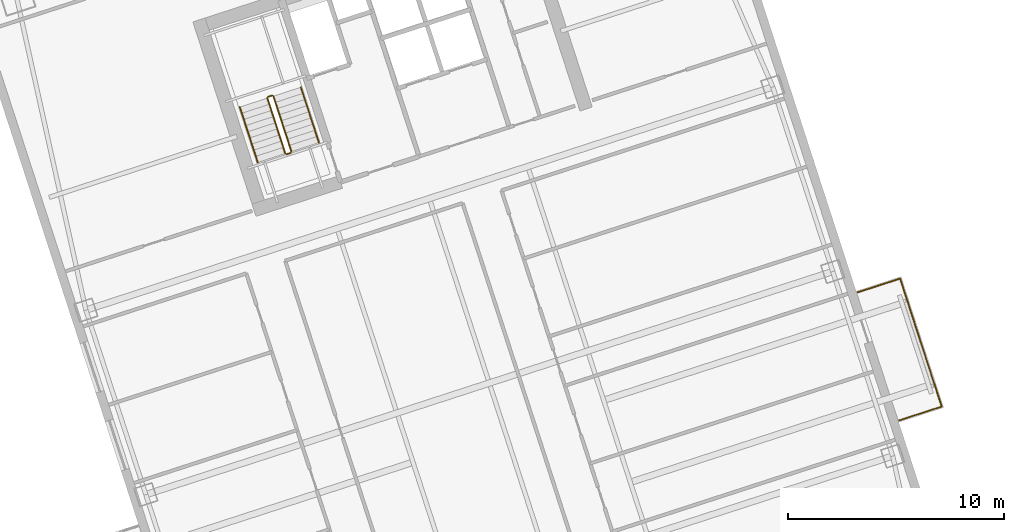
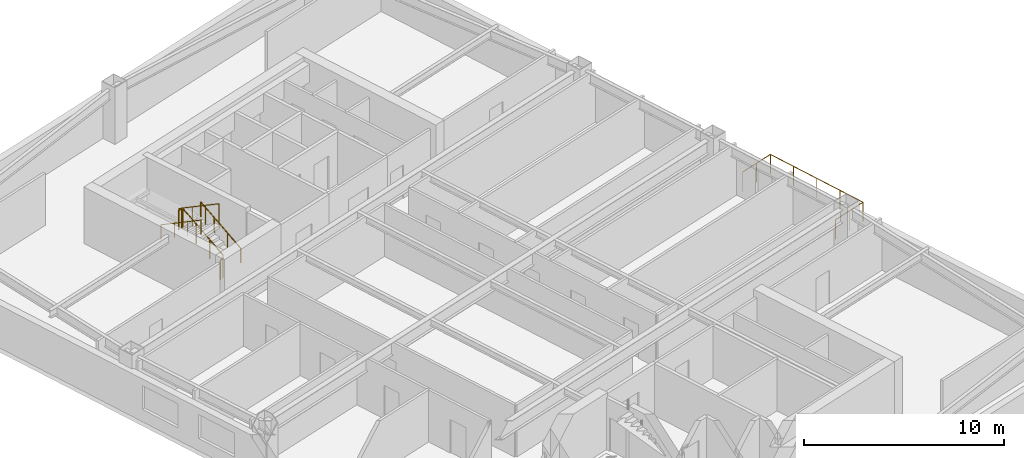
# One storey, part 14 of 14: 7 railings.
"""IFC4 building model written with IfcOpenShell, lengths in metres."""

from ifc_helpers import new_model, si_unit, direction, frame, origin, origin_2d, place, context, subcontext, project, spatial, circle, extrude, material, type_object, element, save


model = new_model("IFC4")

# Units and contexts
model_context = context("Model", 3, precision=1e-05, world=origin(), true_north=direction((0.0, 1.0)))
body_context = subcontext(model_context, "Body", "Model", "MODEL_VIEW")
ifc_project = project(units=[si_unit("LENGTHUNIT", "METRE"), si_unit("AREAUNIT", "SQUARE_METRE"), si_unit("VOLUMEUNIT", "CUBIC_METRE"), si_unit("PLANEANGLEUNIT", "RADIAN"), si_unit("MASSUNIT", "GRAM", prefix="KILO")], contexts=[model_context])

# Site, building, storey
site_placement = place(None, origin())
site = spatial("IfcSite", under=ifc_project, at=site_placement, CompositionType="ELEMENT")
building_placement = place(site_placement, origin())
building = spatial("IfcBuilding", under=site, at=building_placement, Name="Qiaolan Cultural Towers", CompositionType="ELEMENT")
storey_placement = place(building_placement, frame((0.0, 0.0, 103.5)))
storey = spatial("IfcBuildingStorey", under=building, at=storey_placement, Name="L26", CompositionType="ELEMENT", Elevation=103.5)

# Railings
ifc_material_1 = material(Name="Laminated SentryGlas & Stainless Steel S31608 Balustrade", Category="steel")
railing_type_1 = type_object("IfcRailingType", Name="GRD-TERR-1200", PredefinedType="BALUSTRADE", material=ifc_material_1)
railing_1_placement = place(storey_placement, frame((109.014892578125, 32.271240234375, 0.0)))
element("IfcRailing", 1, at=railing_1_placement, inside=storey, type_object=railing_type_1, Name="L26 T2 Tree Balcony Guardrail E", PredefinedType="BALUSTRADE", context=body_context, shape_type="SweptSolid", body=[
    extrude(circle(Radius=0.02392578125, at=origin_2d()), frame((0.0, 0.0, 1.17578125), z_axis=(0.951061799618, 0.309000733507, 0.0), x_axis=(-0.309000733507, 0.951061799618, 0.0)), (0.0, 0.0, 1.0), 2.070068359375),
    extrude(circle(Radius=0.02392578125, at=origin_2d()), frame((1.96875, 0.6396484375, 1.17578125), z_axis=(-0.309047146287, 0.951046718817, 0.0), x_axis=(-0.951046718817, -0.309047146287, 0.0)), (0.0, 0.0, 1.0), 6.239990234375),
    extrude(circle(Radius=0.02392578125, at=origin_2d()), frame((0.040283203125, 6.57421875, 1.17578125), z_axis=(-0.951050536716, -0.309035397023, 0.0), x_axis=(0.309035397023, -0.951050536716, 0.0)), (0.0, 0.0, 1.0), 2.06982421875),
    extrude(circle(Radius=0.02099609375, at=origin_2d()), origin(), (0.0, 0.0, 1.0), 1.15185546875),
    extrude(circle(Radius=0.02099609375, at=origin_2d()), frame((0.984375, 0.31982421875, 0.0)), (0.0, 0.0, 1.0), 1.15185546875),
    extrude(circle(Radius=0.02099609375, at=origin_2d()), frame((1.96875, 0.6396484375, 0.0)), (0.0, 0.0, 1.0), 1.15185546875),
    extrude(circle(Radius=0.02099609375, at=origin_2d()), frame((1.486572265625, 2.123291015625, 0.0)), (0.0, 0.0, 1.0), 1.15185546875),
    extrude(circle(Radius=0.02099609375, at=origin_2d()), frame((1.00439453125, 3.60693359375, 0.0)), (0.0, 0.0, 1.0), 1.15185546875),
    extrude(circle(Radius=0.02099609375, at=origin_2d()), frame((0.5224609375, 5.090576171875, 0.0)), (0.0, 0.0, 1.0), 1.15185546875),
    extrude(circle(Radius=0.02099609375, at=origin_2d()), frame((0.040283203125, 6.57421875, 0.0)), (0.0, 0.0, 1.0), 1.15185546875),
    extrude(circle(Radius=0.02099609375, at=origin_2d()), frame((-0.94384765625, 6.25439453125, 0.0)), (0.0, 0.0, 1.0), 1.15185546875),
    extrude(circle(Radius=0.02099609375, at=origin_2d()), frame((-1.92822265625, 5.9345703125, 0.0)), (0.0, 0.0, 1.0), 1.15185546875),
])
ifc_material_2 = material(Name="Galvanized Painted Steel Stair Guardrail", Category="steel")
railing_type_2 = type_object("IfcRailingType", Name="RL-STAIR-GRD", PredefinedType="GUARDRAIL", material=ifc_material_2)
railing_2_placement = place(storey_placement, frame((80.822021484375, 44.739501953125, 0.172607421875)))
element("IfcRailing", 2, at=railing_2_placement, inside=storey, type_object=railing_type_2, Name="L26 ST-E2 stair guard 1", PredefinedType="GUARDRAIL", context=body_context, shape_type="SweptSolid", body=[
    extrude(circle(Radius=0.02392578125, at=origin_2d()), frame((0.0, 0.0, 1.17578125), z_axis=(-0.26785290645, 0.824488402118, 0.498471358535), x_axis=(-0.951069945308, -0.308975661068, 0.0)), (0.0, 0.0, 1.0), 3.114501953125),
    extrude(circle(Radius=0.02099609375, at=origin_2d()), origin(), (0.0, 0.0, 1.0), 1.15185546875),
    extrude(circle(Radius=0.02099609375, at=origin_2d()), frame((-0.278076171875, 0.85595703125, 0.517578125)), (0.0, 0.0, 1.0), 1.15185546875),
    extrude(circle(Radius=0.02099609375, at=origin_2d()), frame((-0.55615234375, 1.7119140625, 1.034912109375)), (0.0, 0.0, 1.0), 1.15185546875),
    extrude(circle(Radius=0.02099609375, at=origin_2d()), frame((-0.834228515625, 2.56787109375, 1.552490234375)), (0.0, 0.0, 1.0), 1.15185546875),
])
railing_3_placement = place(storey_placement, frame((79.9248046875, 47.33935546875, 1.72509765625)))
element("IfcRailing", 3, at=railing_3_placement, inside=storey, type_object=railing_type_2, Name="L26 ST-E2 stair guard 2", PredefinedType="GUARDRAIL", context=body_context, shape_type="SweptSolid", body=[
    extrude(circle(Radius=0.02392578125, at=origin_2d()), frame((0.0, 0.0, 1.17578125), z_axis=(-0.951096855055, -0.308892816854, 0.0), x_axis=(0.308892816854, -0.951096855055, 0.0)), (0.0, 0.0, 1.0), 0.199951171875),
    extrude(circle(Radius=0.02099609375, at=origin_2d()), origin(), (0.0, 0.0, 1.0), 1.15185546875),
    extrude(circle(Radius=0.02099609375, at=origin_2d()), frame((-0.190185546875, -0.061767578125, 0.0)), (0.0, 0.0, 1.0), 1.15185546875),
])
railing_4_placement = place(storey_placement, frame((79.702392578125, 47.214599609375, 1.8974609375)))
element("IfcRailing", 4, at=railing_4_placement, inside=storey, type_object=railing_type_2, Name="L26 ST-E2 stair guard 3", PredefinedType="GUARDRAIL", context=body_context, shape_type="SweptSolid", body=[
    extrude(circle(Radius=0.02392578125, at=origin_2d()), frame((0.0, 0.0, 1.17578125), z_axis=(0.267925668498, -0.824471088726, 0.498460891159), x_axis=(0.951043371037, 0.309057448393, 0.0)), (0.0, 0.0, 1.0), 3.114501953125),
    extrude(circle(Radius=0.02099609375, at=origin_2d()), origin(), (0.0, 0.0, 1.0), 1.15185546875),
    extrude(circle(Radius=0.02099609375, at=origin_2d()), frame((0.278076171875, -0.85595703125, 0.517578125)), (0.0, 0.0, 1.0), 1.15185546875),
    extrude(circle(Radius=0.02099609375, at=origin_2d()), frame((0.556396484375, -1.7119140625, 1.034912109375)), (0.0, 0.0, 1.0), 1.15185546875),
    extrude(circle(Radius=0.02099609375, at=origin_2d()), frame((0.83447265625, -2.56787109375, 1.552490234375)), (0.0, 0.0, 1.0), 1.15185546875),
])
railing_5_placement = place(storey_placement, frame((80.7900390625, 44.676513671875, 0.0)))
element("IfcRailing", 5, at=railing_5_placement, inside=storey, type_object=railing_type_2, Name="L26 ST-E2 stair guard 4", PredefinedType="GUARDRAIL", context=body_context, shape_type="SweptSolid", body=[
    extrude(circle(Radius=0.02392578125, at=origin_2d()), frame((0.0, 0.0, 1.17578125), z_axis=(-0.951096855055, -0.308892816854, 0.0), x_axis=(0.308892816854, -0.951096855055, 0.0)), (0.0, 0.0, 1.0), 0.199951171875),
    extrude(circle(Radius=0.02099609375, at=origin_2d()), origin(), (0.0, 0.0, 1.0), 1.15185546875),
    extrude(circle(Radius=0.02099609375, at=origin_2d()), frame((-0.190185546875, -0.061767578125, 0.0)), (0.0, 0.0, 1.0), 1.15185546875),
])
ifc_material_3 = material(Name="Stainless Steel S30408 Tubular Handrail", Category="steel")
railing_type_3 = type_object("IfcRailingType", Name="RL-STAIR-HR", PredefinedType="HANDRAIL", material=ifc_material_3)
railing_6_placement = place(storey_placement, frame((82.096435546875, 45.153564453125, 0.172607421875)))
element("IfcRailing", 6, at=railing_6_placement, inside=storey, type_object=railing_type_3, Name="L26 ST-E2 stair handrail 1", PredefinedType="HANDRAIL", context=body_context, shape_type="SweptSolid", body=[
    extrude(circle(Radius=0.02392578125, at=origin_2d()), frame((0.0, 0.0, 0.8759765625), z_axis=(-0.26785290645, 0.824488402118, 0.498471358535), x_axis=(-0.951069945308, -0.308975661068, 0.0)), (0.0, 0.0, 1.0), 3.114501953125),
    extrude(circle(Radius=0.02099609375, at=origin_2d()), origin(), (0.0, 0.0, 1.0), 0.851806640625),
    extrude(circle(Radius=0.02099609375, at=origin_2d()), frame((-0.278076171875, 0.85595703125, 0.517578125)), (0.0, 0.0, 1.0), 0.851806640625),
    extrude(circle(Radius=0.02099609375, at=origin_2d()), frame((-0.55615234375, 1.7119140625, 1.034912109375)), (0.0, 0.0, 1.0), 0.851806640625),
    extrude(circle(Radius=0.02099609375, at=origin_2d()), frame((-0.834228515625, 2.56787109375, 1.552490234375)), (0.0, 0.0, 1.0), 0.851806640625),
])
railing_7_placement = place(storey_placement, frame((78.427978515625, 46.800537109375, 1.8974609375)))
element("IfcRailing", 7, at=railing_7_placement, inside=storey, type_object=railing_type_3, Name="L26 ST-E2 stair handrail 2", PredefinedType="HANDRAIL", context=body_context, shape_type="SweptSolid", body=[
    extrude(circle(Radius=0.02392578125, at=origin_2d()), frame((0.0, 0.0, 0.8759765625), z_axis=(0.267925668498, -0.824471088726, 0.498460891159), x_axis=(0.951043371037, 0.309057448393, 0.0)), (0.0, 0.0, 1.0), 3.114501953125),
    extrude(circle(Radius=0.02099609375, at=origin_2d()), origin(), (0.0, 0.0, 1.0), 0.851806640625),
    extrude(circle(Radius=0.02099609375, at=origin_2d()), frame((0.278076171875, -0.85595703125, 0.517578125)), (0.0, 0.0, 1.0), 0.851806640625),
    extrude(circle(Radius=0.02099609375, at=origin_2d()), frame((0.556396484375, -1.7119140625, 1.034912109375)), (0.0, 0.0, 1.0), 0.851806640625),
    extrude(circle(Radius=0.02099609375, at=origin_2d()), frame((0.83447265625, -2.56787109375, 1.552490234375)), (0.0, 0.0, 1.0), 0.851806640625),
])

save(model, "model.ifc")
